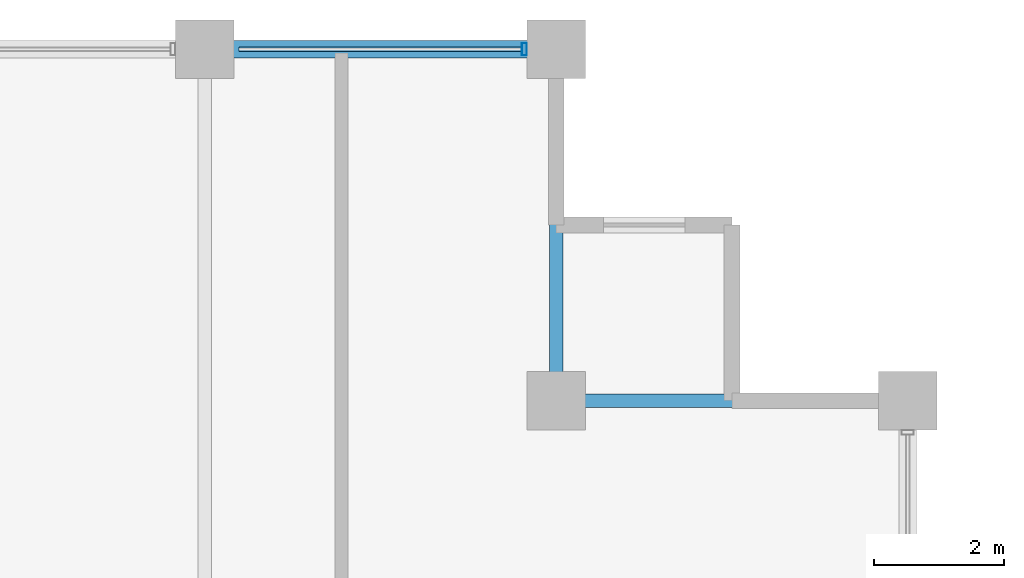
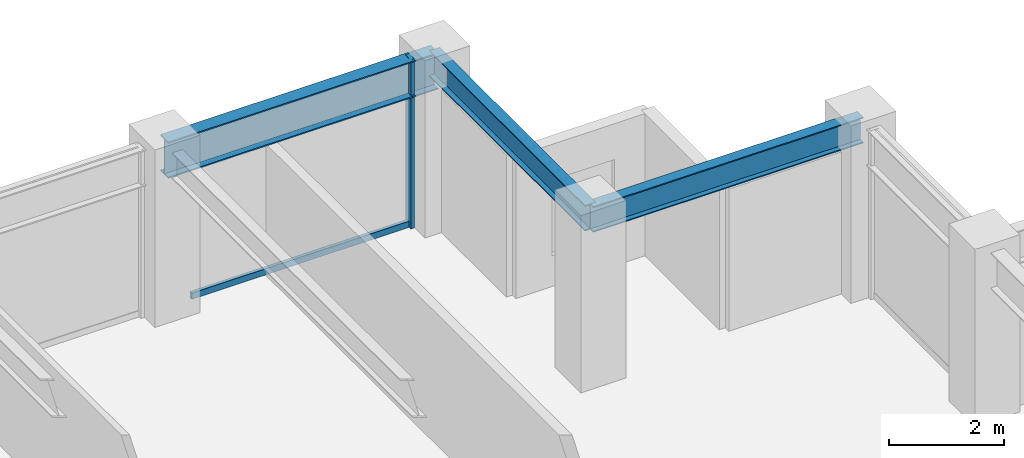
# One storey, part 23 of 32: 3 beams, 2 members, 1 element without a shape of its own.
"""IFC4 building model written with IfcOpenShell, lengths in metres."""

import ifcopenshell
import ifcopenshell.guid

model = None  # the IFC model being written
_history = None  # IfcOwnerHistory: only IFC2X3 demands one
_inside = {}  # id of a spatial element -> (the spatial element, [elements in it])
_under = {}  # id of a project, library or spatial element -> (it, [spatial elements below it])
_declared = {}  # id of a project -> (the project, [libraries it declares])
_typed = {}  # id of a type object -> (the type object, [elements of that type])
_made_of = {}  # id of a material, layer set ... -> (it, [elements and type objects made of it])


def new_model(schema):
    """Start an empty IFC model of exactly this schema.

    Asked for "IFC4X3", IfcOpenShell would pick the latest addendum, in which some entities
    have other attributes; the version numbers below select the first issue.
    IFC2X3 requires an IfcOwnerHistory on every rooted entity: one is made here for all.
    """
    global model, _history
    if schema == "IFC4X3":
        model = ifcopenshell.file(schema_version=(4, 3, 0, 0))
    else:
        model = ifcopenshell.file(schema=schema)
    _inside.clear()
    _under.clear()
    _declared.clear()
    _typed.clear()
    _made_of.clear()
    _history = None
    if model.schema == "IFC2X3":
        org = make("IfcOrganization", Name="unknown")
        user = make(
            "IfcPersonAndOrganization",
            ThePerson=make("IfcPerson", FamilyName="unknown"),
            TheOrganization=org,
        )
        app = make(
            "IfcApplication",
            ApplicationDeveloper=org,
            Version="unknown",
            ApplicationFullName="unknown",
            ApplicationIdentifier="unknown",
        )
        _history = make(
            "IfcOwnerHistory",
            OwningUser=user,
            OwningApplication=app,
            ChangeAction="ADDED",
            CreationDate=0,
        )
    return model


def make(cls, **values):
    """One entity of the class cls with the attributes given. An attribute that is None is left unset."""
    return model.create_entity(
        cls, **{name: value for name, value in values.items() if value is not None}
    )


def rooted(cls, **values):
    """An entity with a GlobalId (a new one), such as an element, a storey or a relation."""
    return make(cls, GlobalId=ifcopenshell.guid.new(), OwnerHistory=_history, **values)


def si_unit(unit_type, name, prefix=None):
    """IfcSIUnit, for example si_unit("LENGTHUNIT", "METRE", prefix="MILLI")."""
    return make("IfcSIUnit", UnitType=unit_type, Prefix=prefix, Name=name)


def assignment(units):
    """IfcUnitAssignment: the units of a project."""
    return None if units is None else make("IfcUnitAssignment", Units=units)


def point(xyz):
    """IfcCartesianPoint."""
    return None if xyz is None else make("IfcCartesianPoint", Coordinates=xyz)


def direction(xyz):
    """IfcDirection."""
    return None if xyz is None else make("IfcDirection", DirectionRatios=xyz)


def frame(location, z_axis=None, x_axis=None):
    """IfcAxis2Placement3D, a coordinate frame: its origin and axes. An axis left out is left unset."""
    return make(
        "IfcAxis2Placement3D",
        Location=point(location),
        Axis=direction(z_axis),
        RefDirection=direction(x_axis),
    )


def frame_2d(location, x_axis=None):
    """IfcAxis2Placement2D, a coordinate frame in the plane: its origin and x axis."""
    return make(
        "IfcAxis2Placement2D", Location=point(location), RefDirection=direction(x_axis)
    )


def origin():
    """The frame at (0, 0, 0) with its axes left unset."""
    return frame((0.0, 0.0, 0.0))


def origin_2d():
    """The frame at (0, 0) in the plane with its x axis left unset."""
    return frame_2d((0.0, 0.0))


def place(relative_to, where):
    """IfcLocalPlacement: puts the frame where relative to a parent placement (None: the world)."""
    return make(
        "IfcLocalPlacement", PlacementRelTo=relative_to, RelativePlacement=where
    )


def context(
    kind, dimensions, precision=None, world=None, true_north=None, identifier=None
):
    """IfcGeometricRepresentationContext, for example the 3D "Model" context."""
    return make(
        "IfcGeometricRepresentationContext",
        ContextIdentifier=identifier,
        ContextType=kind,
        CoordinateSpaceDimension=dimensions,
        Precision=precision,
        WorldCoordinateSystem=world,
        TrueNorth=true_north,
    )


def subcontext(parent, identifier, kind, view, scale=None):
    """IfcGeometricRepresentationSubContext, for example "Body" below "Model"."""
    return make(
        "IfcGeometricRepresentationSubContext",
        ContextIdentifier=identifier,
        ContextType=kind,
        ParentContext=parent,
        TargetScale=scale,
        TargetView=view,
    )


def project(units=None, contexts=None):
    """IfcProject with its units and contexts."""
    return rooted(
        "IfcProject",
        Name="project",
        RepresentationContexts=contexts,
        UnitsInContext=assignment(units),
    )


def spatial(cls, under=None, at=None, **own):
    """A site, building, storey or space (cls), placed at a placement, below another one or the project."""
    s = rooted(cls, ObjectPlacement=at, **own)
    if under is not None:
        _under.setdefault(under.id(), (under, []))[1].append(s)
    return s


def profile(cls, at=None, kind="AREA", **sizes):
    """A parametric profile (cls). Its sizes go by their IFC names, for example OverallWidth=200.0."""
    return make(cls, ProfileType=kind, Position=at, **sizes)


def hollow_rectangle(**sizes):
    """IfcRectangleHollowProfileDef."""
    return profile("IfcRectangleHollowProfileDef", **sizes)


def i_section(**sizes):
    """IfcIShapeProfileDef."""
    return profile("IfcIShapeProfileDef", **sizes)


def extrude(swept, where, along, depth):
    """IfcExtrudedAreaSolid: the profile swept, set in the frame where, extruded along a direction by depth."""
    return make(
        "IfcExtrudedAreaSolid",
        SweptArea=swept,
        Position=where,
        ExtrudedDirection=direction(along),
        Depth=depth,
    )


def shape(context_of_items, identifier, shape_type, items):
    """IfcShapeRepresentation: the items that make up one representation, for example the "Body"."""
    return make(
        "IfcShapeRepresentation",
        ContextOfItems=context_of_items,
        RepresentationIdentifier=identifier,
        RepresentationType=shape_type,
        Items=items,
    )


def material(Name=None, Category=None):
    """IfcMaterial."""
    return make("IfcMaterial", Name=Name, Category=Category)


def layer(
    of_material, thickness, ventilated=None, Name=None, Category=None, Priority=None
):
    """IfcMaterialLayer: one layer of a wall or slab, of a material (None: an air gap)."""
    return make(
        "IfcMaterialLayer",
        Material=of_material,
        LayerThickness=thickness,
        IsVentilated=ventilated,
        Name=Name,
        Category=Category,
        Priority=Priority,
    )


def layer_set(layers, Name=None):
    """IfcMaterialLayerSet."""
    return make("IfcMaterialLayerSet", MaterialLayers=layers, LayerSetName=Name)


def material_profile(
    of_material, cross_section, Name=None, Category=None, Priority=None
):
    """IfcMaterialProfile: a cross section and its material."""
    return make(
        "IfcMaterialProfile",
        Name=Name,
        Material=of_material,
        Profile=cross_section,
        Priority=Priority,
        Category=Category,
    )


def profile_set(profiles, Name=None, composite=None):
    """IfcMaterialProfileSet."""
    return make(
        "IfcMaterialProfileSet",
        Name=Name,
        MaterialProfiles=profiles,
        CompositeProfile=composite,
    )


def made_of(thing, what):
    """Note that an element or type object is made of a material, layer set ...; save() writes the relation."""
    if what is not None:
        _made_of.setdefault(what.id(), (what, []))[1].append(thing)
    return thing


def type_object(cls, material=None, **own):
    """A type object (cls), such as IfcWallType, which elements share."""
    return made_of(rooted(cls, **own), material)


def element(
    cls,
    number,
    at=None,
    inside=None,
    cuts=None,
    type_object=None,
    material=None,
    context=None,
    identifier="Body",
    shape_type=None,
    held_by="IfcProductDefinitionShape",
    body=None,
    shapes=None,
    **own,
):
    """One element of the class cls, such as IfcWall. Its Tag is "e" and its number.

    at: its placement. inside: the storey or other place that contains it. cuts: it is an
    opening in that element (IfcRelVoidsElement). A single representation is given by context,
    identifier, shape_type and body (its items); several are given by shapes. held_by: the class
    of the entity that holds the representations. save() writes the other relations.
    """
    e = rooted(cls, Tag="e%d" % number, ObjectPlacement=at, **own)
    if body is not None:
        shapes = [shape(context, identifier, shape_type, body)]
    if shapes is not None:
        e.Representation = make(held_by, Representations=shapes)
    if inside is not None:
        _inside.setdefault(inside.id(), (inside, []))[1].append(e)
    if cuts is not None:
        rooted(
            "IfcRelVoidsElement", RelatingBuildingElement=cuts, RelatedOpeningElement=e
        )
    if type_object is not None:
        _typed.setdefault(type_object.id(), (type_object, []))[1].append(e)
    return made_of(e, material)


def aggregate(whole, parts):
    """IfcRelAggregates: a whole, such as a stair, and the parts it consists of."""
    return rooted("IfcRelAggregates", RelatingObject=whole, RelatedObjects=parts)


def save(model, path):
    """Write the relations noted so far, then the file.

    IfcRelAggregates (storeys below a building ...), IfcRelContainedInSpatialStructure (elements
    in a storey), IfcRelDefinesByType, IfcRelAssociatesMaterial and IfcRelDeclares: one each for
    every whole, place, type object, material and project.
    """
    for whole, parts in _under.values():
        aggregate(whole, parts)
    for where, things in _inside.values():
        rooted(
            "IfcRelContainedInSpatialStructure",
            RelatedElements=things,
            RelatingStructure=where,
        )
    for kind, things in _typed.values():
        rooted("IfcRelDefinesByType", RelatedObjects=things, RelatingType=kind)
    for what, things in _made_of.values():
        rooted("IfcRelAssociatesMaterial", RelatedObjects=things, RelatingMaterial=what)
    for by, libraries in _declared.values():
        rooted("IfcRelDeclares", RelatingContext=by, RelatedDefinitions=libraries)
    model.write(path)


model = new_model("IFC4")

# Units and contexts
model_context = context("Model", 3, precision=1e-05, world=origin(), true_north=direction((0.0, 1.0)))
body_context = subcontext(model_context, "Body", "Model", "MODEL_VIEW")
ifc_project = project(units=[si_unit("LENGTHUNIT", "METRE"), si_unit("AREAUNIT", "SQUARE_METRE"), si_unit("VOLUMEUNIT", "CUBIC_METRE"), si_unit("PLANEANGLEUNIT", "RADIAN"), si_unit("MASSUNIT", "GRAM", prefix="KILO")], contexts=[model_context])

# Site, building, storey
site_placement = place(None, origin())
site = spatial("IfcSite", under=ifc_project, at=site_placement, CompositionType="ELEMENT")
building_placement = place(site_placement, origin())
building = spatial("IfcBuilding", under=site, at=building_placement, Name="Surkhivell Harbour Commons", CompositionType="ELEMENT")
storey_placement = place(building_placement, frame((0.0, 0.0, 186.0)))
storey = spatial("IfcBuildingStorey", under=building, at=storey_placement, Name="L48", CompositionType="ELEMENT", Elevation=186.0)

# Beams
ifc_material_1 = material(Name="Steel S355", Category="steel")
ifc_material_profile_1 = material_profile(ifc_material_1, i_section(OverallWidth=0.2119140625, OverallDepth=0.5439453125, WebThickness=0.0126953125, FlangeThickness=0.021240234375, at=origin_2d()), Name="UB533x210x122")
ifc_profile_set_1 = profile_set([ifc_material_profile_1], Name="Steel S355")
beam_type_1 = type_object("IfcBeamType", Name="BM-GRD-533A", PredefinedType="BEAM", material=ifc_profile_set_1)
beam_1_placement = place(storey_placement, frame((16.199951171875, 20.5, 3.298095703125), z_axis=(0.0, 1.0, 0.0), x_axis=(-1.0, 0.0, 0.0)))
element("IfcBeam", 1, at=beam_1_placement, inside=storey, type_object=beam_type_1, Name="L48 Floor Girder (16.2,20.5)", PredefinedType="BEAM", context=body_context, shape_type="SweptSolid", body=[
    extrude(i_section(OverallWidth=0.2119140625, OverallDepth=0.5439453125, WebThickness=0.0126953125, FlangeThickness=0.021240234375, at=origin_2d()), origin(), (0.0, 0.0, 1.0), 5.39990234375),
])
beam_2_placement = place(storey_placement, frame((16.199951171875, 20.5, 3.298095703125), z_axis=(1.0, 0.0, 0.0), x_axis=(0.0, 1.0, 0.0)))
element("IfcBeam", 2, at=beam_2_placement, inside=storey, type_object=beam_type_1, Name="L48 Floor Girder (16.2,20.5)", PredefinedType="BEAM", context=body_context, shape_type="SweptSolid", body=[
    extrude(i_section(OverallWidth=0.2119140625, OverallDepth=0.5439453125, WebThickness=0.0126953125, FlangeThickness=0.021240234375, at=origin_2d()), origin(), (0.0, 0.0, 1.0), 5.400146484375),
])
ifc_material_profile_2 = material_profile(ifc_material_1, i_section(OverallWidth=0.26806640625, OverallDepth=0.77001953125, WebThickness=0.015625, FlangeThickness=0.025390625, at=origin_2d()), Name="UB762x267x197")
ifc_profile_set_2 = profile_set([ifc_material_profile_2], Name="Steel S355")
beam_type_2 = type_object("IfcBeamType", Name="BM-SPN-762", PredefinedType="SPANDREL", material=ifc_profile_set_2)
beam_3_placement = place(storey_placement, frame((10.800048828125, 25.89990234375, 3.18505859375), z_axis=(1.0, 0.0, 0.0), x_axis=(0.0, 1.0, 0.0)))
element("IfcBeam", 3, at=beam_3_placement, inside=storey, type_object=beam_type_2, Name="L48 Tube Spandrel (10.8,25.9)", PredefinedType="SPANDREL", context=body_context, shape_type="SweptSolid", body=[
    extrude(i_section(OverallWidth=0.26806640625, OverallDepth=0.77001953125, WebThickness=0.015625, FlangeThickness=0.025390625, at=origin_2d()), origin(), (0.0, 0.0, 1.0), 5.39990234375),
])

# Curtain wall, members
ifc_material_2 = material(Name="Anodised pale-metal aluminium and insulated glazing", Category="aluminium")
ifc_layer = layer(ifc_material_2, 0.18994140625)
ifc_layer_set = layer_set([ifc_layer], Name="Anodised pale-metal aluminium and insulated glazing")
curtain_wall_type = type_object("IfcCurtainWallType", Name="CW-SYS-Z3", PredefinedType="NOTDEFINED", material=ifc_layer_set)
curtain_wall_placement = place(storey_placement, origin())
curtain_wall = element("IfcCurtainWall", 4, at=curtain_wall_placement, inside=storey, type_object=curtain_wall_type, Name="L48 Curtain Wall CW-L48-E07S1", PredefinedType="NOTDEFINED")
ifc_material_3 = material(Name="Anodised pale-metal aluminium alloy 6063-T6", Category="aluminium")
ifc_material_profile_3 = material_profile(ifc_material_3, hollow_rectangle(XDim=0.074951171875, YDim=0.18994140625, WallThickness=0.00390625, at=origin_2d()), Name="ALU-MULL-75x190")
ifc_profile_set_3 = profile_set([ifc_material_profile_3], Name="Anodised pale-metal aluminium alloy 6063-T6")
member_type_1 = type_object("IfcMemberType", Name="CWM-190", PredefinedType="MULLION", material=ifc_profile_set_3)
member_1_placement = place(storey_placement, frame((15.71044921875, 25.89990234375, 0.0), z_axis=(0.0, 0.0, 1.0), x_axis=(-1.0, 0.0, 0.0)))
member_1 = element("IfcMember", 5, at=member_1_placement, type_object=member_type_1, Name="CW-Z3 mullion 1", PredefinedType="MULLION", context=body_context, shape_type="SweptSolid", body=[
    extrude(hollow_rectangle(XDim=0.074951171875, YDim=0.18994140625, WallThickness=0.00390625, at=origin_2d()), origin(), (0.0, 0.0, 1.0), 3.570068359375),
])
ifc_material_4 = material(Name="Champagne anodised aluminium alloy 6063-T6", Category="aluminium")
ifc_material_profile_4 = material_profile(ifc_material_4, hollow_rectangle(XDim=0.070068359375, YDim=0.1298828125, WallThickness=0.00341796875, at=origin_2d()), Name="ALU-TRAN-70x130")
ifc_profile_set_4 = profile_set([ifc_material_profile_4], Name="Champagne anodised aluminium alloy 6063-T6")
member_type_2 = type_object("IfcMemberType", Name="CWT-130", PredefinedType="USERDEFINED", material=ifc_profile_set_4)
member_2_placement = place(storey_placement, frame((15.673095703125, 25.89990234375, 0.06494140625), z_axis=(-1.0, 0.0, 0.0), x_axis=(0.0, -1.0, 0.0)))
member_2 = element("IfcMember", 6, at=member_2_placement, type_object=member_type_2, Name="CW-Z3 transom 1.1", ObjectType="TRANSOM", PredefinedType="USERDEFINED", context=body_context, shape_type="SweptSolid", body=[
    extrude(hollow_rectangle(XDim=0.070068359375, YDim=0.1298828125, WallThickness=0.00341796875, at=origin_2d()), origin(), (0.0, 0.0, 1.0), 4.34619140625),
])
aggregate(curtain_wall, [member_1, member_2])

save(model, "model.ifc")
